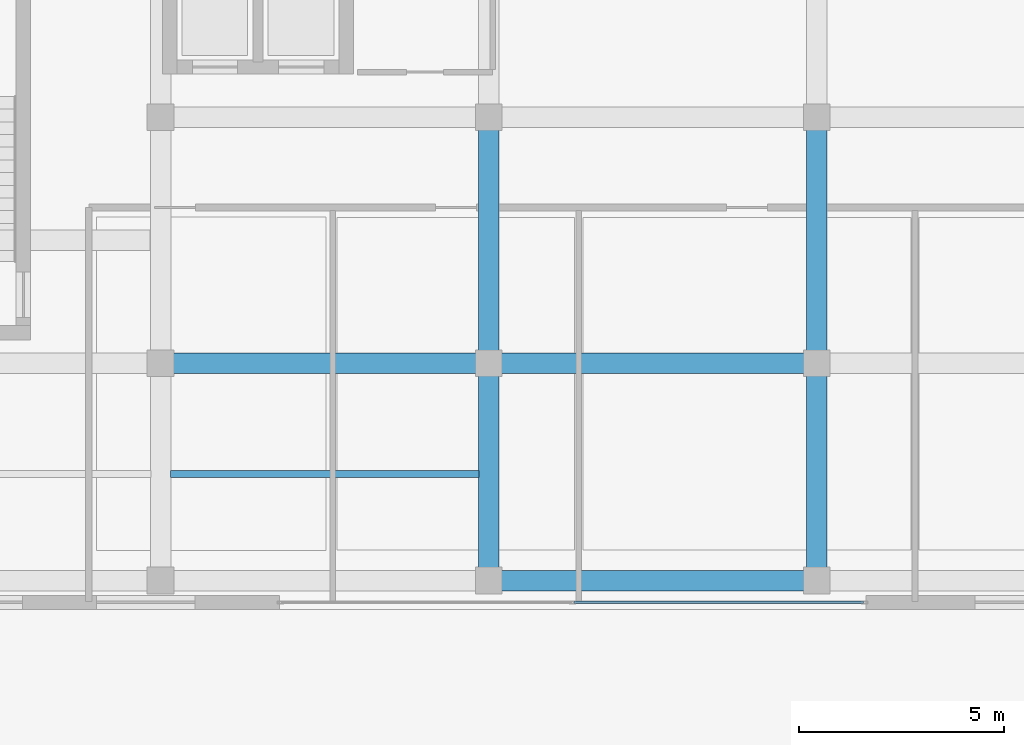
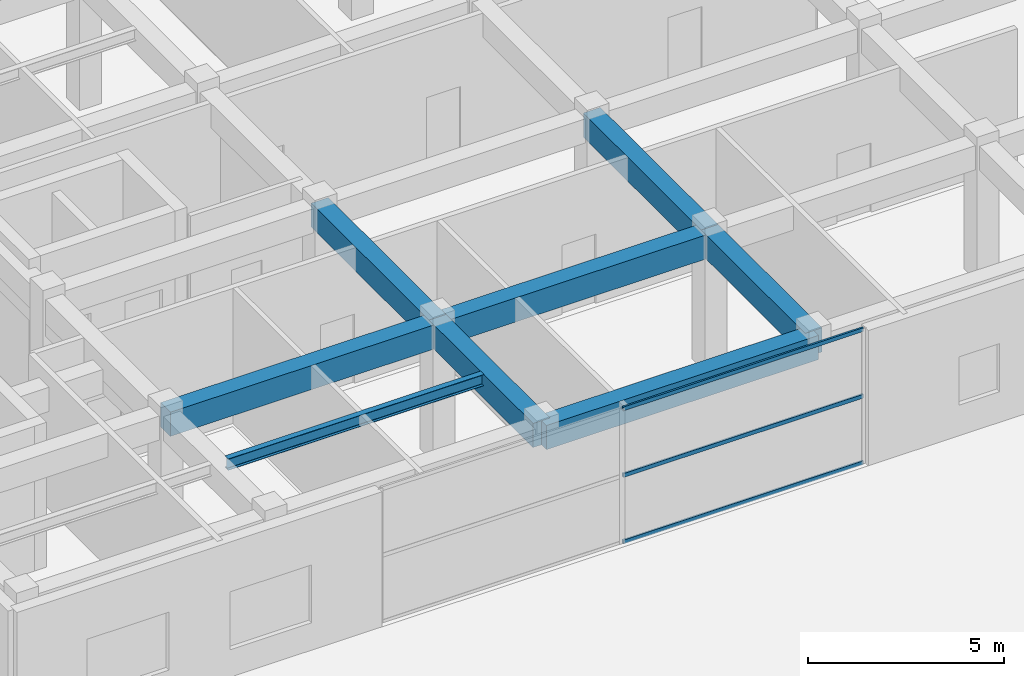
# One storey, part 13 of 39: 8 beams, 3 members, 1 element without a shape of its own.
"""IFC4 building model written with IfcOpenShell, lengths in metres."""

from ifc_helpers import new_model, si_unit, direction, frame, origin, origin_2d, place, context, subcontext, project, spatial, rectangle, hollow_rectangle, i_section, extrude, source, transform, mapped, material, layer, layer_set, material_profile, profile_set, type_object, element, aggregate, save


model = new_model("IFC4")

# Units and contexts
model_context = context("Model", 3, precision=1e-05, world=origin(), true_north=direction((0.0, 1.0)))
body_context = subcontext(model_context, "Body", "Model", "MODEL_VIEW")
ifc_project = project(units=[si_unit("LENGTHUNIT", "METRE"), si_unit("AREAUNIT", "SQUARE_METRE"), si_unit("VOLUMEUNIT", "CUBIC_METRE"), si_unit("PLANEANGLEUNIT", "RADIAN"), si_unit("MASSUNIT", "GRAM", prefix="KILO")], contexts=[model_context])

# Site, building, storey
site_placement = place(None, origin())
site = spatial("IfcSite", under=ifc_project, at=site_placement, CompositionType="ELEMENT")
building_placement = place(site_placement, origin())
building = spatial("IfcBuilding", under=site, at=building_placement, Name="Khoralis Quay Care Tower", CompositionType="ELEMENT")
storey_placement = place(building_placement, origin())
storey = spatial("IfcBuildingStorey", under=building, at=storey_placement, Name="L00", CompositionType="ELEMENT", Elevation=0.0)

# Beams
ifc_material_1 = material(Name="Concrete C40/50", Category="concrete")
ifc_material_profile_1 = material_profile(ifc_material_1, rectangle(XDim=0.5, YDim=0.75, at=origin_2d()), Name="Concrete C40/50")
ifc_profile_set_1 = profile_set([ifc_material_profile_1], Name="Concrete C40/50")
beam_type_1 = type_object("IfcBeamType", Name="BM-RC500X750", PredefinedType="BEAM", material=ifc_profile_set_1)
shared_shape_1 = source(origin(), body_context, "Body", "SweptSolid", [
    extrude(rectangle(XDim=0.5, YDim=0.75, at=origin_2d()), origin(), (0.0, 0.0, 1.0), 8.0),
])
for number, where, z_axis, x_axis, name in (
    (1, (84.0, 6.699951171875, 3.824951171875), (1.0, 0.0, 0.0), (0.0, 1.0, 0.0), "BM-SCX-L00-03"),
    (2, (76.0, 12.0, 3.824951171875), (1.0, 0.0, 0.0), (0.0, 1.0, 0.0), "BM-SCX-L00-06"),
    (3, (84.0, 12.0, 3.824951171875), (1.0, 0.0, 0.0), (0.0, 1.0, 0.0), "BM-SCX-L00-07"),
):
    element("IfcBeam", number, at=place(storey_placement, frame(where, z_axis=z_axis, x_axis=x_axis)), inside=storey, type_object=beam_type_1, Name=name, PredefinedType="BEAM", context=body_context, shape_type="MappedRepresentation", body=[
        mapped(shared_shape_1, transform((0.0, 0.0, 0.0), scale=1.0)),
    ])
shared_shape_2 = source(origin(), body_context, "Body", "SweptSolid", [
    extrude(rectangle(XDim=0.5, YDim=0.75, at=origin_2d()), origin(), (0.0, 0.0, 1.0), 5.300048828125),
])
for number, where, z_axis, x_axis, name in (
    (4, (84.0, 6.699951171875, 3.824951171875), (0.0, 1.0, 0.0), (-1.0, 0.0, 0.0), "BM-SCY-L00-45"),
    (5, (92.0, 6.699951171875, 3.824951171875), (0.0, 1.0, 0.0), (-1.0, 0.0, 0.0), "BM-SCY-L00-51"),
):
    element("IfcBeam", number, at=place(storey_placement, frame(where, z_axis=z_axis, x_axis=x_axis)), inside=storey, type_object=beam_type_1, Name=name, PredefinedType="BEAM", context=body_context, shape_type="MappedRepresentation", body=[
        mapped(shared_shape_2, transform((0.0, 0.0, 0.0), scale=1.0)),
    ])
shared_shape_3 = source(origin(), body_context, "Body", "SweptSolid", [
    extrude(rectangle(XDim=0.5, YDim=0.75, at=origin_2d()), origin(), (0.0, 0.0, 1.0), 6.0),
])
for number, where, z_axis, x_axis, name in (
    (6, (84.0, 12.0, 3.824951171875), (0.0, 1.0, 0.0), (-1.0, 0.0, 0.0), "BM-SCY-L00-46"),
    (7, (92.0, 12.0, 3.824951171875), (0.0, 1.0, 0.0), (-1.0, 0.0, 0.0), "BM-SCY-L00-52"),
):
    element("IfcBeam", number, at=place(storey_placement, frame(where, z_axis=z_axis, x_axis=x_axis)), inside=storey, type_object=beam_type_1, Name=name, PredefinedType="BEAM", context=body_context, shape_type="MappedRepresentation", body=[
        mapped(shared_shape_3, transform((0.0, 0.0, 0.0), scale=1.0)),
    ])
ifc_material_2 = material(Name="Steel S355", Category="steel")
ifc_material_profile_2 = material_profile(ifc_material_2, i_section(OverallWidth=0.1708984375, OverallDepth=0.35498046875, WebThickness=0.007080078125, FlangeThickness=0.01171875, FilletRadius=0.012939453125, at=origin_2d()), Name="Steel S355")
ifc_profile_set_2 = profile_set([ifc_material_profile_2], Name="Steel S355")
beam_type_2 = type_object("IfcBeamType", Name="BM-W360X51", PredefinedType="JOIST", material=ifc_profile_set_2)
shared_shape_4 = source(origin(), body_context, "Body", "SweptSolid", [
    extrude(i_section(OverallWidth=0.1708984375, OverallDepth=0.35498046875, WebThickness=0.007080078125, FlangeThickness=0.01171875, FilletRadius=0.012939453125, at=origin_2d()), origin(), (0.0, 0.0, 1.0), 7.52392578125),
])
beam_placement = place(storey_placement, frame((76.238037109375, 9.300048828125, 4.0224609375), z_axis=(1.0, 0.0, 0.0), x_axis=(0.0, 1.0, 0.0)))
element("IfcBeam", 8, at=beam_placement, inside=storey, type_object=beam_type_2, Name="BM-SCJ-L00-69", PredefinedType="JOIST", context=body_context, shape_type="MappedRepresentation", body=[
    mapped(shared_shape_4, transform((0.0, 0.0, 0.0), scale=1.0)),
])

# Curtain wall, members
ifc_material_3 = material(Name="Pale anodised aluminium", Category="aluminium")
ifc_layer = layer(ifc_material_3, 0.14990234375)
ifc_layer_set = layer_set([ifc_layer], Name="Pale anodised aluminium")
curtain_wall_type = type_object("IfcCurtainWallType", Name="CW-SYS-SCHOOL", PredefinedType="NOTDEFINED", material=ifc_layer_set)
curtain_wall_placement = place(storey_placement, origin())
curtain_wall = element("IfcCurtainWall", 9, at=curtain_wall_placement, inside=storey, type_object=curtain_wall_type, Name="L00 Unitised Curtain Wall CW-SCH-L00-E0", PredefinedType="NOTDEFINED")
ifc_material_profile_3 = material_profile(ifc_material_3, hollow_rectangle(XDim=0.054931640625, YDim=0.1201171875, WallThickness=0.00390625, at=origin_2d()), Name="Pale anodised aluminium")
ifc_profile_set_3 = profile_set([ifc_material_profile_3], Name="Pale anodised aluminium")
member_type = type_object("IfcMemberType", Name="CW-TRN-120", PredefinedType="USERDEFINED", material=ifc_profile_set_3)
shared_shape_5 = source(origin(), body_context, "Body", "SweptSolid", [
    extrude(hollow_rectangle(XDim=0.054931640625, YDim=0.1201171875, WallThickness=0.00390625, at=origin_2d()), origin(), (0.0, 0.0, 1.0), 7.06201171875),
])
member_1_placement = place(storey_placement, frame((86.080078125, 6.169921875, 0.030029296875), z_axis=(1.0, 0.0, 0.0), x_axis=(0.0, 1.0, 0.0)))
member_1 = element("IfcMember", 10, at=member_1_placement, type_object=member_type, Name="CW6 transom 2.1", ObjectType="TRANSOM", PredefinedType="USERDEFINED", context=body_context, shape_type="MappedRepresentation", body=[
    mapped(shared_shape_5, transform((0.0, 0.0, 0.0), scale=1.0)),
])
member_2_placement = place(storey_placement, frame((86.080078125, 6.169921875, 2.10009765625), z_axis=(1.0, 0.0, 0.0), x_axis=(0.0, 1.0, 0.0)))
member_2 = element("IfcMember", 11, at=member_2_placement, type_object=member_type, Name="CW6 transom 2.2", ObjectType="TRANSOM", PredefinedType="USERDEFINED", context=body_context, shape_type="MappedRepresentation", body=[
    mapped(shared_shape_5, transform((0.0, 0.0, 0.0), scale=1.0)),
])
member_3_placement = place(storey_placement, frame((86.080078125, 6.169921875, 4.169921875), z_axis=(1.0, 0.0, 0.0), x_axis=(0.0, 1.0, 0.0)))
member_3 = element("IfcMember", 12, at=member_3_placement, type_object=member_type, Name="CW6 transom 2.3", ObjectType="TRANSOM", PredefinedType="USERDEFINED", context=body_context, shape_type="MappedRepresentation", body=[
    mapped(shared_shape_5, transform((0.0, 0.0, 0.0), scale=1.0)),
])
aggregate(curtain_wall, [member_1, member_2, member_3])

save(model, "model.ifc")
